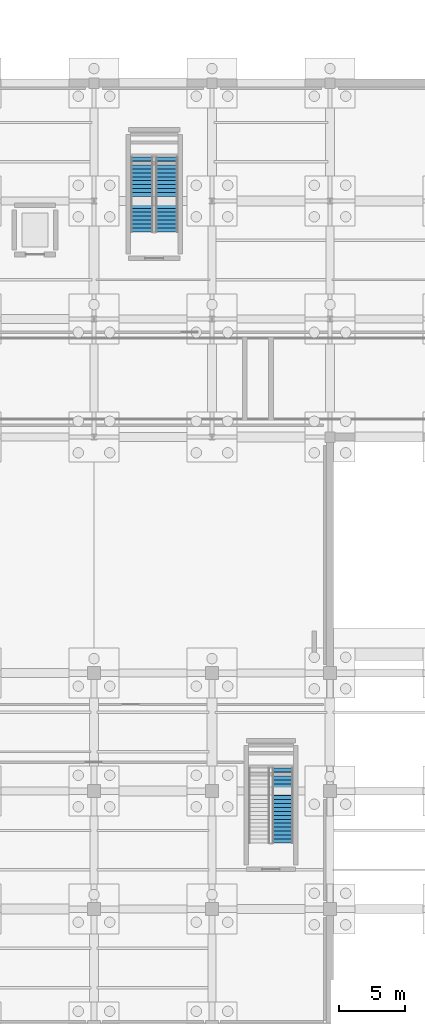
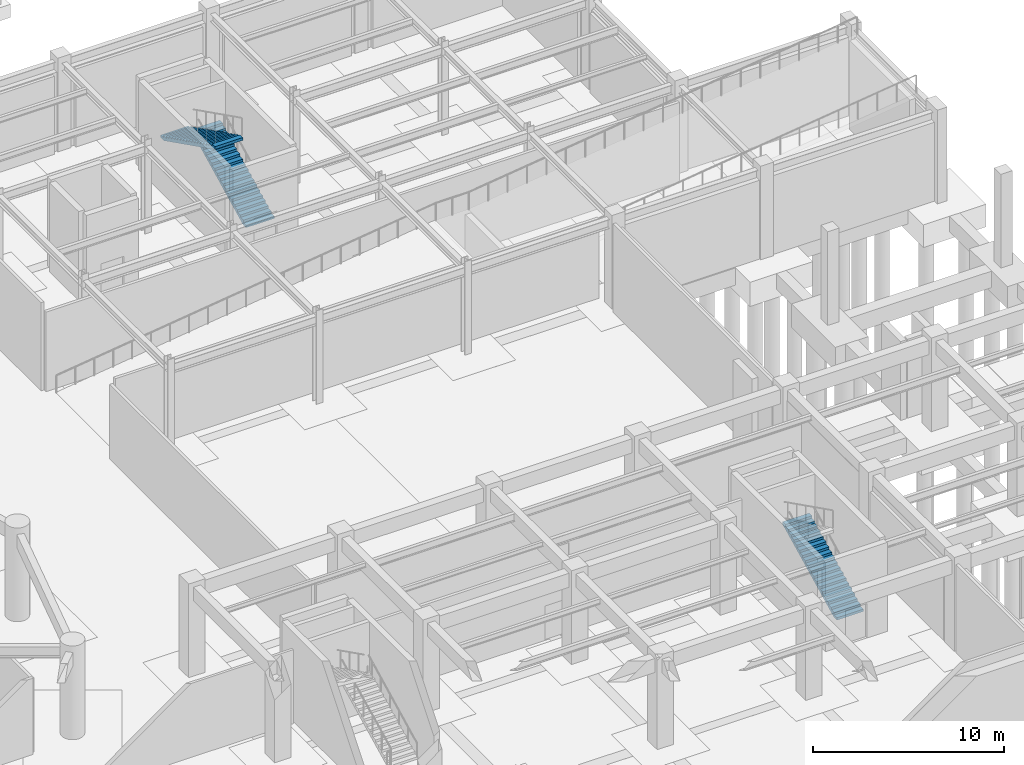
# One storey, part 25 of 36: 3 stair flights, 2 elements without a shape of their own.
"""IFC4 building model written with IfcOpenShell, lengths in metres."""

from ifc_helpers import new_model, si_unit, direction, frame, origin, place, context, subcontext, project, spatial, polyline, outline, extrude, material, type_object, element, aggregate, save


model = new_model("IFC4")

# Units and contexts
model_context = context("Model", 3, precision=1e-05, world=origin(), true_north=direction((0.0, 1.0)))
body_context = subcontext(model_context, "Body", "Model", "MODEL_VIEW")
ifc_project = project(units=[si_unit("LENGTHUNIT", "METRE"), si_unit("AREAUNIT", "SQUARE_METRE"), si_unit("VOLUMEUNIT", "CUBIC_METRE"), si_unit("PLANEANGLEUNIT", "RADIAN"), si_unit("MASSUNIT", "GRAM", prefix="KILO")], contexts=[model_context])

# Site, building, storey
site_placement = place(None, origin())
site = spatial("IfcSite", under=ifc_project, at=site_placement, CompositionType="ELEMENT")
building_placement = place(site_placement, origin())
building = spatial("IfcBuilding", under=site, at=building_placement, Name="Haizhuo Lancet Aquarium", CompositionType="ELEMENT")
storey_placement = place(building_placement, frame((0.0, 0.0, -6.0)))
storey = spatial("IfcBuildingStorey", under=building, at=storey_placement, Name="B1", CompositionType="ELEMENT", Elevation=-6.0)

# Stair, stair flight
ifc_material = material(Name="Concrete C40/50", Category="concrete")
stair_type_1 = type_object("IfcStairType", Name="STR-HT-1600-60", PredefinedType="HALF_TURN_STAIR", material=ifc_material)
stair_1_placement = place(storey_placement, origin())
stair_1 = element("IfcStair", 1, at=stair_1_placement, inside=storey, type_object=stair_type_1, Name="B1 enclosed exit stair ST-05", PredefinedType="HALF_TURN_STAIR")
stair_flight_type_1 = type_object("IfcStairFlightType", Name="FLT-STR-1600-60", PredefinedType="STRAIGHT", material=ifc_material)
stair_flight_1_placement = place(storey_placement, frame((59.39990234375, -21.949951171875, 0.0), z_axis=(0.0, 0.0, 1.0), x_axis=(0.0, 1.0, 0.0)))
stair_flight_1 = element("IfcStairFlight", 2, at=stair_flight_1_placement, type_object=stair_flight_type_1, Name="ST-16 flight 1", NumberOfRisers=20, NumberOfTreads=19, PredefinedType="STRAIGHT", RiserHeight=0.15, TreadLength=0.3, context=body_context, shape_type="SweptSolid", body=[
    extrude(outline(polyline([(0.0, 0.0), (0.0, 0.14990234375), (0.300048828125, 0.14990234375), (0.300048828125, 0.300048828125), (0.60009765625, 0.300048828125), (0.60009765625, 0.449951171875), (0.89990234375, 0.449951171875), (0.89990234375, 0.60009765625), (1.199951171875, 0.60009765625), (1.199951171875, 0.75), (1.5, 0.75), (1.5, 0.89990234375), (1.800048828125, 0.89990234375), (1.800048828125, 1.050048828125), (2.10009765625, 1.050048828125), (2.10009765625, 1.199951171875), (2.39990234375, 1.199951171875), (2.39990234375, 1.35009765625), (2.699951171875, 1.35009765625), (2.699951171875, 1.5), (3.0, 1.5), (3.0, 1.64990234375), (3.300048828125, 1.64990234375), (3.300048828125, 1.800048828125), (3.60009765625, 1.800048828125), (3.60009765625, 1.949951171875), (3.89990234375, 1.949951171875), (3.89990234375, 2.10009765625), (4.199951171875, 2.10009765625), (4.199951171875, 2.25), (4.5, 2.25), (4.5, 2.39990234375), (4.800048828125, 2.39990234375), (4.800048828125, 2.550048828125), (5.10009765625, 2.550048828125), (5.10009765625, 2.699951171875), (5.39990234375, 2.699951171875), (5.39990234375, 2.85009765625), (5.699951171875, 2.85009765625), (5.699951171875, 3.0), (5.699951171875, 2.671142578125), (0.357666015625, 0.0), (0.0, 0.0)])), frame((0.0, 0.800048828125, 0.0), z_axis=(0.0, -1.0, 0.0), x_axis=(1.0, 0.0, 0.0)), (0.0, 0.0, 1.0), 1.60009765625),
])
aggregate(stair_1, [stair_flight_1])

# Stair, stair flights
stair_type_2 = type_object("IfcStairType", Name="STR-HT-1700-60", PredefinedType="HALF_TURN_STAIR", material=ifc_material)
stair_2_placement = place(storey_placement, origin())
stair_2 = element("IfcStair", 3, at=stair_2_placement, inside=storey, type_object=stair_type_2, Name="B1 enclosed exit stair ST-10", PredefinedType="HALF_TURN_STAIR")
stair_flight_type_2 = type_object("IfcStairFlightType", Name="FLT-STR-1700-60", PredefinedType="STRAIGHT", material=ifc_material)
stair_flight_2_placement = place(storey_placement, frame((50.550048828125, 24.64990234375, 0.0), z_axis=(0.0, 0.0, 1.0), x_axis=(0.0, 1.0, 0.0)))
stair_flight_2 = element("IfcStairFlight", 4, at=stair_flight_2_placement, type_object=stair_flight_type_2, Name="ST-36 flight 1", NumberOfRisers=20, NumberOfTreads=19, PredefinedType="STRAIGHT", RiserHeight=0.15, TreadLength=0.3, context=body_context, shape_type="SweptSolid", body=[
    extrude(outline(polyline([(0.0, 0.0), (0.0, 0.14990234375), (0.300048828125, 0.14990234375), (0.300048828125, 0.300048828125), (0.60009765625, 0.300048828125), (0.60009765625, 0.449951171875), (0.89990234375, 0.449951171875), (0.89990234375, 0.60009765625), (1.199951171875, 0.60009765625), (1.199951171875, 0.75), (1.5, 0.75), (1.5, 0.89990234375), (1.800048828125, 0.89990234375), (1.800048828125, 1.050048828125), (2.10009765625, 1.050048828125), (2.10009765625, 1.199951171875), (2.39990234375, 1.199951171875), (2.39990234375, 1.35009765625), (2.699951171875, 1.35009765625), (2.699951171875, 1.5), (3.0, 1.5), (3.0, 1.64990234375), (3.300048828125, 1.64990234375), (3.300048828125, 1.800048828125), (3.60009765625, 1.800048828125), (3.60009765625, 1.949951171875), (3.89990234375, 1.949951171875), (3.89990234375, 2.10009765625), (4.199951171875, 2.10009765625), (4.199951171875, 2.25), (4.5, 2.25), (4.5, 2.39990234375), (4.800048828125, 2.39990234375), (4.800048828125, 2.550048828125), (5.10009765625, 2.550048828125), (5.10009765625, 2.699951171875), (5.39990234375, 2.699951171875), (5.39990234375, 2.85009765625), (5.699951171875, 2.85009765625), (5.699951171875, 3.0), (5.699951171875, 2.671142578125), (0.357666015625, 0.0), (0.0, 0.0)])), frame((0.0, 0.85009765625, 0.0), z_axis=(0.0, -1.0, 0.0), x_axis=(1.0, 0.0, 0.0)), (0.0, 0.0, 1.0), 1.699951171875),
])
stair_flight_3_placement = place(storey_placement, frame((48.64990234375, 30.35009765625, 3.0), z_axis=(0.0, 0.0, 1.0), x_axis=(0.0, -1.0, 0.0)))
stair_flight_3 = element("IfcStairFlight", 5, at=stair_flight_3_placement, type_object=stair_flight_type_2, Name="ST-36 flight 2", NumberOfRisers=20, NumberOfTreads=19, PredefinedType="STRAIGHT", RiserHeight=0.15, TreadLength=0.3, context=body_context, shape_type="SweptSolid", body=[
    extrude(outline(polyline([(0.0, 0.0), (0.0, 0.14990234375), (0.300048828125, 0.14990234375), (0.300048828125, 0.300048828125), (0.60009765625, 0.300048828125), (0.60009765625, 0.449951171875), (0.89990234375, 0.449951171875), (0.89990234375, 0.60009765625), (1.199951171875, 0.60009765625), (1.199951171875, 0.75), (1.5, 0.75), (1.5, 0.89990234375), (1.800048828125, 0.89990234375), (1.800048828125, 1.050048828125), (2.10009765625, 1.050048828125), (2.10009765625, 1.199951171875), (2.39990234375, 1.199951171875), (2.39990234375, 1.35009765625), (2.699951171875, 1.35009765625), (2.699951171875, 1.5), (3.0, 1.5), (3.0, 1.64990234375), (3.300048828125, 1.64990234375), (3.300048828125, 1.800048828125), (3.60009765625, 1.800048828125), (3.60009765625, 1.949951171875), (3.89990234375, 1.949951171875), (3.89990234375, 2.10009765625), (4.199951171875, 2.10009765625), (4.199951171875, 2.25), (4.5, 2.25), (4.5, 2.39990234375), (4.800048828125, 2.39990234375), (4.800048828125, 2.550048828125), (5.10009765625, 2.550048828125), (5.10009765625, 2.699951171875), (5.39990234375, 2.699951171875), (5.39990234375, 2.85009765625), (5.699951171875, 2.85009765625), (5.699951171875, 3.0), (5.699951171875, 2.671142578125), (0.357666015625, 0.0), (0.0, 0.0)])), frame((0.0, 0.85009765625, 0.0), z_axis=(0.0, -1.0, 0.0), x_axis=(1.0, 0.0, 0.0)), (0.0, 0.0, 1.0), 1.699951171875),
])
aggregate(stair_2, [stair_flight_2, stair_flight_3])

save(model, "model.ifc")
